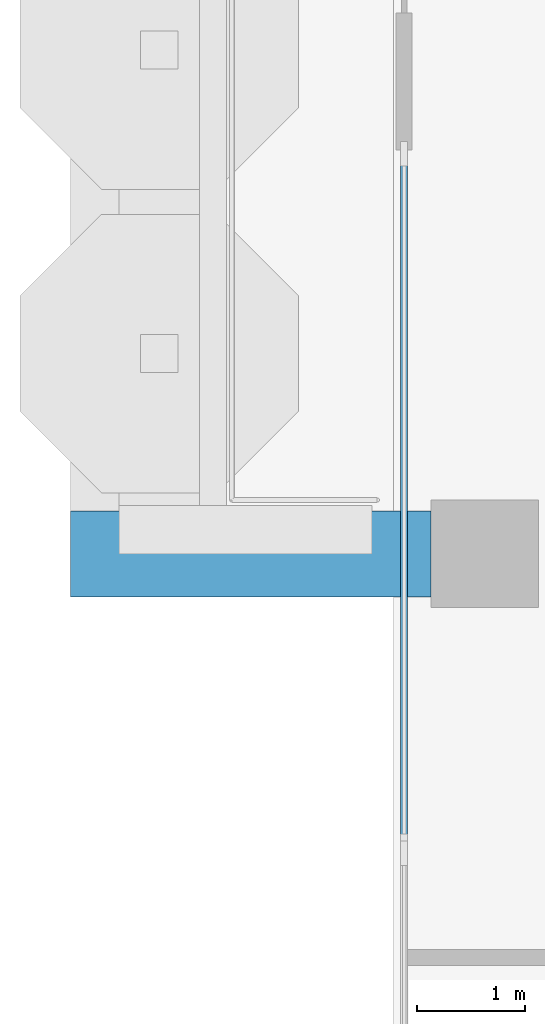
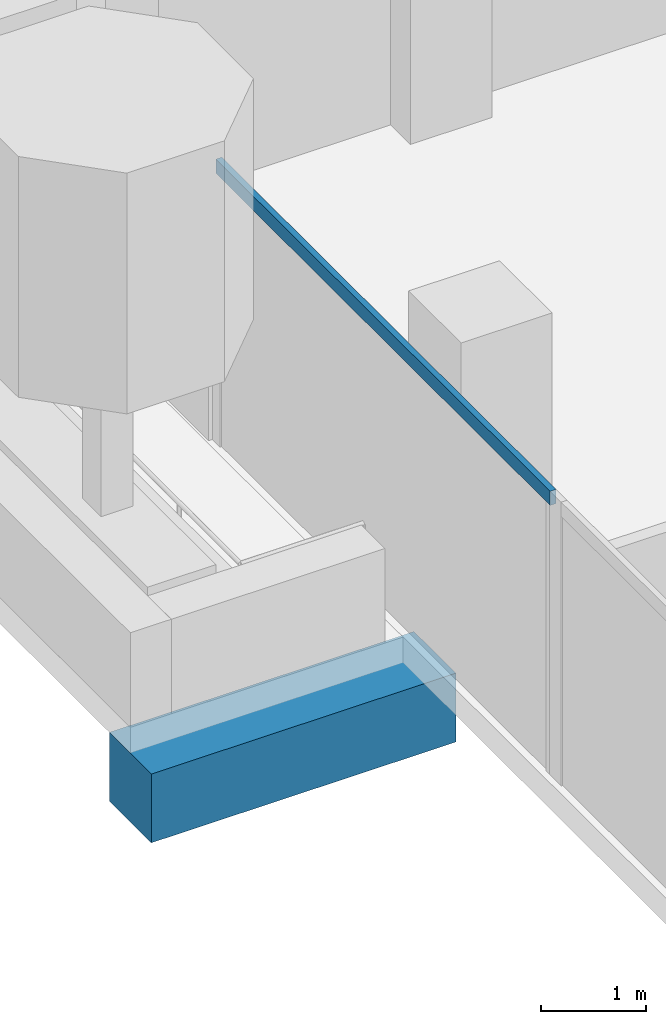
# One storey, part 3 of 18: 1 beam, 1 member, 1 element without a shape of its own.
"""IFC4 building model written with IfcOpenShell, lengths in metres."""

import ifcopenshell
import ifcopenshell.guid

model = None  # the IFC model being written
_history = None  # IfcOwnerHistory: only IFC2X3 demands one
_inside = {}  # id of a spatial element -> (the spatial element, [elements in it])
_under = {}  # id of a project, library or spatial element -> (it, [spatial elements below it])
_declared = {}  # id of a project -> (the project, [libraries it declares])
_typed = {}  # id of a type object -> (the type object, [elements of that type])
_made_of = {}  # id of a material, layer set ... -> (it, [elements and type objects made of it])


def new_model(schema):
    """Start an empty IFC model of exactly this schema.

    Asked for "IFC4X3", IfcOpenShell would pick the latest addendum, in which some entities
    have other attributes; the version numbers below select the first issue.
    IFC2X3 requires an IfcOwnerHistory on every rooted entity: one is made here for all.
    """
    global model, _history
    if schema == "IFC4X3":
        model = ifcopenshell.file(schema_version=(4, 3, 0, 0))
    else:
        model = ifcopenshell.file(schema=schema)
    _inside.clear()
    _under.clear()
    _declared.clear()
    _typed.clear()
    _made_of.clear()
    _history = None
    if model.schema == "IFC2X3":
        org = make("IfcOrganization", Name="unknown")
        user = make(
            "IfcPersonAndOrganization",
            ThePerson=make("IfcPerson", FamilyName="unknown"),
            TheOrganization=org,
        )
        app = make(
            "IfcApplication",
            ApplicationDeveloper=org,
            Version="unknown",
            ApplicationFullName="unknown",
            ApplicationIdentifier="unknown",
        )
        _history = make(
            "IfcOwnerHistory",
            OwningUser=user,
            OwningApplication=app,
            ChangeAction="ADDED",
            CreationDate=0,
        )
    return model


def make(cls, **values):
    """One entity of the class cls with the attributes given. An attribute that is None is left unset."""
    return model.create_entity(
        cls, **{name: value for name, value in values.items() if value is not None}
    )


def rooted(cls, **values):
    """An entity with a GlobalId (a new one), such as an element, a storey or a relation."""
    return make(cls, GlobalId=ifcopenshell.guid.new(), OwnerHistory=_history, **values)


def si_unit(unit_type, name, prefix=None):
    """IfcSIUnit, for example si_unit("LENGTHUNIT", "METRE", prefix="MILLI")."""
    return make("IfcSIUnit", UnitType=unit_type, Prefix=prefix, Name=name)


def assignment(units):
    """IfcUnitAssignment: the units of a project."""
    return None if units is None else make("IfcUnitAssignment", Units=units)


def point(xyz):
    """IfcCartesianPoint."""
    return None if xyz is None else make("IfcCartesianPoint", Coordinates=xyz)


def direction(xyz):
    """IfcDirection."""
    return None if xyz is None else make("IfcDirection", DirectionRatios=xyz)


def frame(location, z_axis=None, x_axis=None):
    """IfcAxis2Placement3D, a coordinate frame: its origin and axes. An axis left out is left unset."""
    return make(
        "IfcAxis2Placement3D",
        Location=point(location),
        Axis=direction(z_axis),
        RefDirection=direction(x_axis),
    )


def frame_2d(location, x_axis=None):
    """IfcAxis2Placement2D, a coordinate frame in the plane: its origin and x axis."""
    return make(
        "IfcAxis2Placement2D", Location=point(location), RefDirection=direction(x_axis)
    )


def origin():
    """The frame at (0, 0, 0) with its axes left unset."""
    return frame((0.0, 0.0, 0.0))


def origin_2d():
    """The frame at (0, 0) in the plane with its x axis left unset."""
    return frame_2d((0.0, 0.0))


def place(relative_to, where):
    """IfcLocalPlacement: puts the frame where relative to a parent placement (None: the world)."""
    return make(
        "IfcLocalPlacement", PlacementRelTo=relative_to, RelativePlacement=where
    )


def context(
    kind, dimensions, precision=None, world=None, true_north=None, identifier=None
):
    """IfcGeometricRepresentationContext, for example the 3D "Model" context."""
    return make(
        "IfcGeometricRepresentationContext",
        ContextIdentifier=identifier,
        ContextType=kind,
        CoordinateSpaceDimension=dimensions,
        Precision=precision,
        WorldCoordinateSystem=world,
        TrueNorth=true_north,
    )


def subcontext(parent, identifier, kind, view, scale=None):
    """IfcGeometricRepresentationSubContext, for example "Body" below "Model"."""
    return make(
        "IfcGeometricRepresentationSubContext",
        ContextIdentifier=identifier,
        ContextType=kind,
        ParentContext=parent,
        TargetScale=scale,
        TargetView=view,
    )


def project(units=None, contexts=None):
    """IfcProject with its units and contexts."""
    return rooted(
        "IfcProject",
        Name="project",
        RepresentationContexts=contexts,
        UnitsInContext=assignment(units),
    )


def spatial(cls, under=None, at=None, **own):
    """A site, building, storey or space (cls), placed at a placement, below another one or the project."""
    s = rooted(cls, ObjectPlacement=at, **own)
    if under is not None:
        _under.setdefault(under.id(), (under, []))[1].append(s)
    return s


def profile(cls, at=None, kind="AREA", **sizes):
    """A parametric profile (cls). Its sizes go by their IFC names, for example OverallWidth=200.0."""
    return make(cls, ProfileType=kind, Position=at, **sizes)


def rectangle(**sizes):
    """IfcRectangleProfileDef."""
    return profile("IfcRectangleProfileDef", **sizes)


def extrude(swept, where, along, depth):
    """IfcExtrudedAreaSolid: the profile swept, set in the frame where, extruded along a direction by depth."""
    return make(
        "IfcExtrudedAreaSolid",
        SweptArea=swept,
        Position=where,
        ExtrudedDirection=direction(along),
        Depth=depth,
    )


def shape(context_of_items, identifier, shape_type, items):
    """IfcShapeRepresentation: the items that make up one representation, for example the "Body"."""
    return make(
        "IfcShapeRepresentation",
        ContextOfItems=context_of_items,
        RepresentationIdentifier=identifier,
        RepresentationType=shape_type,
        Items=items,
    )


def material(Name=None, Category=None):
    """IfcMaterial."""
    return make("IfcMaterial", Name=Name, Category=Category)


def material_profile(
    of_material, cross_section, Name=None, Category=None, Priority=None
):
    """IfcMaterialProfile: a cross section and its material."""
    return make(
        "IfcMaterialProfile",
        Name=Name,
        Material=of_material,
        Profile=cross_section,
        Priority=Priority,
        Category=Category,
    )


def profile_set(profiles, Name=None, composite=None):
    """IfcMaterialProfileSet."""
    return make(
        "IfcMaterialProfileSet",
        Name=Name,
        MaterialProfiles=profiles,
        CompositeProfile=composite,
    )


def made_of(thing, what):
    """Note that an element or type object is made of a material, layer set ...; save() writes the relation."""
    if what is not None:
        _made_of.setdefault(what.id(), (what, []))[1].append(thing)
    return thing


def type_object(cls, material=None, **own):
    """A type object (cls), such as IfcWallType, which elements share."""
    return made_of(rooted(cls, **own), material)


def element(
    cls,
    number,
    at=None,
    inside=None,
    cuts=None,
    type_object=None,
    material=None,
    context=None,
    identifier="Body",
    shape_type=None,
    held_by="IfcProductDefinitionShape",
    body=None,
    shapes=None,
    **own,
):
    """One element of the class cls, such as IfcWall. Its Tag is "e" and its number.

    at: its placement. inside: the storey or other place that contains it. cuts: it is an
    opening in that element (IfcRelVoidsElement). A single representation is given by context,
    identifier, shape_type and body (its items); several are given by shapes. held_by: the class
    of the entity that holds the representations. save() writes the other relations.
    """
    e = rooted(cls, Tag="e%d" % number, ObjectPlacement=at, **own)
    if body is not None:
        shapes = [shape(context, identifier, shape_type, body)]
    if shapes is not None:
        e.Representation = make(held_by, Representations=shapes)
    if inside is not None:
        _inside.setdefault(inside.id(), (inside, []))[1].append(e)
    if cuts is not None:
        rooted(
            "IfcRelVoidsElement", RelatingBuildingElement=cuts, RelatedOpeningElement=e
        )
    if type_object is not None:
        _typed.setdefault(type_object.id(), (type_object, []))[1].append(e)
    return made_of(e, material)


def aggregate(whole, parts):
    """IfcRelAggregates: a whole, such as a stair, and the parts it consists of."""
    return rooted("IfcRelAggregates", RelatingObject=whole, RelatedObjects=parts)


def save(model, path):
    """Write the relations noted so far, then the file.

    IfcRelAggregates (storeys below a building ...), IfcRelContainedInSpatialStructure (elements
    in a storey), IfcRelDefinesByType, IfcRelAssociatesMaterial and IfcRelDeclares: one each for
    every whole, place, type object, material and project.
    """
    for whole, parts in _under.values():
        aggregate(whole, parts)
    for where, things in _inside.values():
        rooted(
            "IfcRelContainedInSpatialStructure",
            RelatedElements=things,
            RelatingStructure=where,
        )
    for kind, things in _typed.values():
        rooted("IfcRelDefinesByType", RelatedObjects=things, RelatingType=kind)
    for what, things in _made_of.values():
        rooted("IfcRelAssociatesMaterial", RelatedObjects=things, RelatingMaterial=what)
    for by, libraries in _declared.values():
        rooted("IfcRelDeclares", RelatingContext=by, RelatedDefinitions=libraries)
    model.write(path)


model = new_model("IFC4")

# Units and contexts
model_context = context("Model", 3, precision=1e-05, world=origin(), true_north=direction((0.0, 1.0)))
body_context = subcontext(model_context, "Body", "Model", "MODEL_VIEW")
ifc_project = project(units=[si_unit("LENGTHUNIT", "METRE"), si_unit("AREAUNIT", "SQUARE_METRE"), si_unit("VOLUMEUNIT", "CUBIC_METRE"), si_unit("PLANEANGLEUNIT", "RADIAN"), si_unit("MASSUNIT", "GRAM", prefix="KILO")], contexts=[model_context])

# Site, building, storey
site_placement = place(None, origin())
site = spatial("IfcSite", under=ifc_project, at=site_placement, CompositionType="ELEMENT")
building_placement = place(site_placement, origin())
building = spatial("IfcBuilding", under=site, at=building_placement, Name="Pilkhan Gate Tower", CompositionType="ELEMENT")
storey_placement = place(building_placement, frame((0.0, 0.0, 221.10009765625)))
storey = spatial("IfcBuildingStorey", under=building, at=storey_placement, Name="L57", CompositionType="ELEMENT", Elevation=221.10009765625)

# Beam
ifc_material_1 = material(Name="Concrete C50/60", Category="concrete")
ifc_material_profile_1 = material_profile(ifc_material_1, rectangle(XDim=0.800048828125, YDim=0.800048828125, at=origin_2d()), Name="RC 800x800")
ifc_profile_set_1 = profile_set([ifc_material_profile_1], Name="Concrete C50/60")
beam_type = type_object("IfcBeamType", Name="Cantilever beam CB2 RC 800x800 C50/60", PredefinedType="BEAM", material=ifc_profile_set_1)
beam_placement = place(storey_placement, frame((48.25, 67.5, -0.7001953125), z_axis=(-1.0, 0.0, 0.0), x_axis=(0.0, -1.0, 0.0)))
element("IfcBeam", 1, at=beam_placement, inside=storey, type_object=beam_type, Name="Balcony beam W.1 L57", PredefinedType="BEAM", context=body_context, shape_type="SweptSolid", body=[
    extrude(rectangle(XDim=0.800048828125, YDim=0.800048828125, at=origin_2d()), origin(), (0.0, 0.0, 1.0), 3.35009765625),
])

# Curtain wall, member
ifc_material_2 = material(Name="Pale anodised aluminium, clear low-iron double glazing", Category="aluminium")
curtain_wall_type = type_object("IfcCurtainWallType", Name="Office unitised curtain wall CW-O2", PredefinedType="USERDEFINED", material=ifc_material_2)
curtain_wall_placement = place(storey_placement, origin())
curtain_wall = element("IfcCurtainWall", 2, at=curtain_wall_placement, inside=storey, type_object=curtain_wall_type, Name="Office unitised curtain wall CW-O2 L57 W", ObjectType="UNITISED CURTAIN WALL", PredefinedType="USERDEFINED")
ifc_material_3 = material(Name="Pale anodised aluminium", Category="aluminium")
ifc_material_profile_2 = material_profile(ifc_material_3, rectangle(XDim=0.06494140625, YDim=0.1650390625, at=origin_2d()), Name="Transom 165x65")
ifc_profile_set_2 = profile_set([ifc_material_profile_2], Name="Pale anodised aluminium")
member_type = type_object("IfcMemberType", Name="Transom CW-O2 165x65", PredefinedType="USERDEFINED", material=ifc_profile_set_2)
member_placement = place(storey_placement, frame((48.0, 64.81494140625, 3.21728515625), z_axis=(0.0, 1.0, 0.0), x_axis=(-1.0, 0.0, 0.0)))
member = element("IfcMember", 3, at=member_placement, type_object=member_type, Name="CW-O2 transom 1", ObjectType="TRANSOM", PredefinedType="USERDEFINED", context=body_context, shape_type="SweptSolid", body=[
    extrude(rectangle(XDim=0.06494140625, YDim=0.1650390625, at=origin_2d()), origin(), (0.0, 0.0, 1.0), 6.3701171875),
])
aggregate(curtain_wall, [member])

save(model, "model.ifc")
